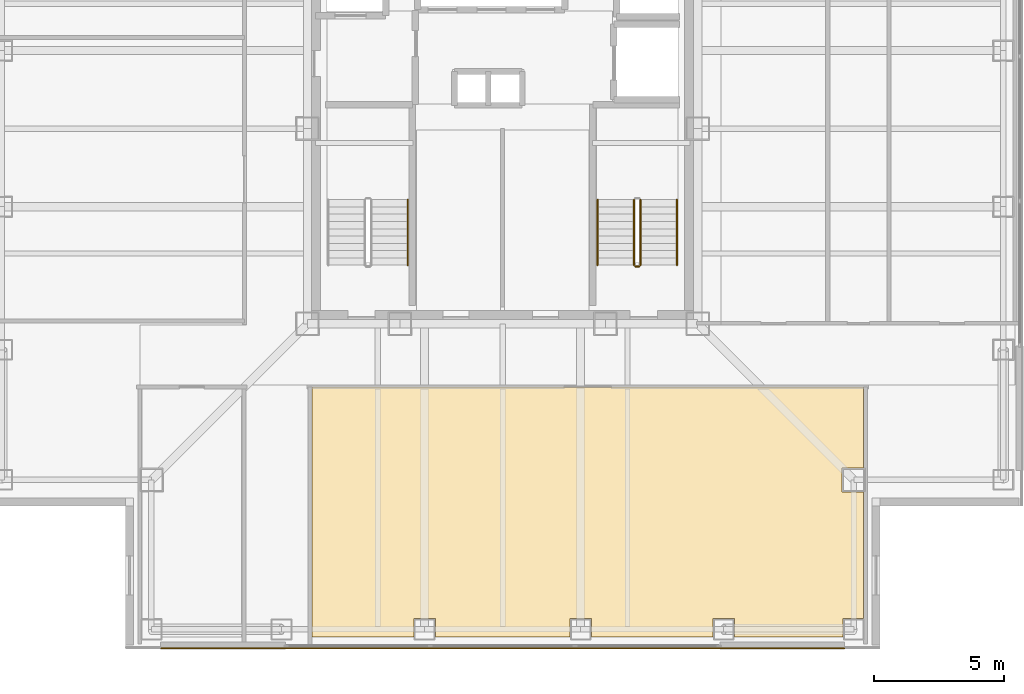
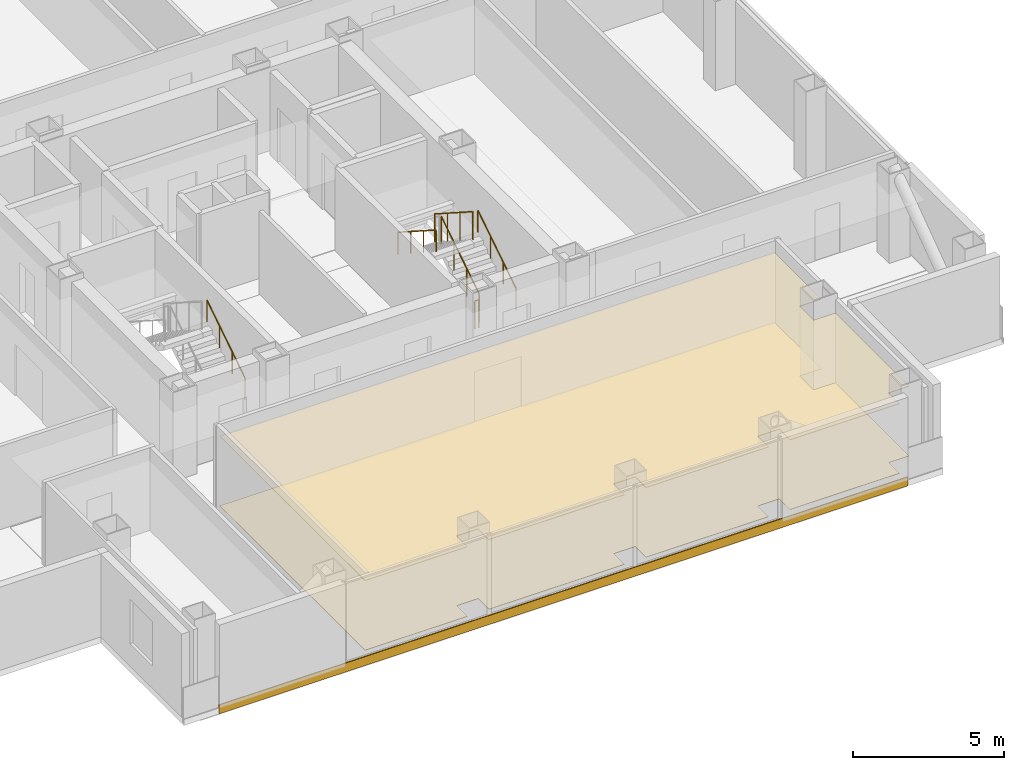
# One storey, part 12 of 16: 6 railings, 3 coverings.
"""IFC4 building model written with IfcOpenShell, lengths in metres."""

from ifc_helpers import new_model, si_unit, direction, frame, frame_2d, origin, origin_2d, place, context, subcontext, project, spatial, polyline, rectangle, circle, outline, extrude, material, layer, layer_set, type_object, element, save


model = new_model("IFC4")

# Units and contexts
model_context = context("Model", 3, precision=1e-05, world=origin(), true_north=direction((0.0, 1.0)))
body_context = subcontext(model_context, "Body", "Model", "MODEL_VIEW")
ifc_project = project(units=[si_unit("LENGTHUNIT", "METRE"), si_unit("AREAUNIT", "SQUARE_METRE"), si_unit("VOLUMEUNIT", "CUBIC_METRE"), si_unit("PLANEANGLEUNIT", "RADIAN"), si_unit("MASSUNIT", "GRAM", prefix="KILO")], contexts=[model_context])

# Site, building, storey
site_placement = place(None, origin())
site = spatial("IfcSite", under=ifc_project, at=site_placement, CompositionType="ELEMENT")
building_placement = place(site_placement, origin())
building = spatial("IfcBuilding", under=site, at=building_placement, Name="Trevonay Congress Spire", CompositionType="ELEMENT")
storey_placement = place(building_placement, frame((0.0, 0.0, 180.60009765625)))
storey = spatial("IfcBuildingStorey", under=building, at=storey_placement, Name="L46", CompositionType="ELEMENT", Elevation=180.60009765625)

# Coverings
ifc_material_1 = material(Name="Acoustic Mineral Fibre Board", Category="gypsum")
ifc_layer_1 = layer(ifc_material_1, 0.02490234375, Name="Acoustic Mineral Fibre Board")
ifc_layer_set_1 = layer_set([ifc_layer_1], Name="Acoustic Mineral Fibre Board")
covering_type_1 = type_object("IfcCoveringType", Name="COV-CEIL-ACOUSTIC", PredefinedType="CEILING", material=ifc_layer_set_1)
covering_1_placement = place(storey_placement, frame((0.0, 0.0, 2.809814453125)))
element("IfcCovering", 1, at=covering_1_placement, inside=storey, type_object=covering_type_1, Name="L46 Grand International Arbitration Hearing Hall acoustic suspended ceiling", PredefinedType="CEILING", context=body_context, shape_type="SweptSolid", body=[
    extrude(outline(polyline([(-7.320068359375, -19.550048828125), (-7.320068359375, -9.929931640625), (13.8701171875, -9.929931640625), (13.8701171875, -13.0400390625), (13.0400390625, -13.0400390625), (13.0400390625, -13.9599609375), (13.8701171875, -13.9599609375), (13.8701171875, -18.840087890625), (13.090087890625, -18.840087890625), (13.090087890625, -19.550048828125), (8.909912109375, -19.550048828125), (8.909912109375, -18.840087890625), (8.090087890625, -18.840087890625), (8.090087890625, -19.550048828125), (3.409912109375, -19.550048828125), (3.409912109375, -18.840087890625), (2.590087890625, -18.840087890625), (2.590087890625, -19.550048828125), (-2.590087890625, -19.550048828125), (-2.590087890625, -18.840087890625), (-3.409912109375, -18.840087890625), (-3.409912109375, -19.550048828125), (-7.320068359375, -19.550048828125)])), origin(), (0.0, 0.0, 1.0), 0.025146484375),
])
ifc_material_2 = material(Name="Engineered Oak Flooring", Category="wood")
ifc_layer_2 = layer(ifc_material_2, 0.01806640625, Name="Engineered Oak Flooring")
ifc_layer_set_2 = layer_set([ifc_layer_2], Name="Engineered Oak Flooring")
covering_type_2 = type_object("IfcCoveringType", Name="COV-FLOOR-TIMBER", PredefinedType="FLOORING", material=ifc_layer_set_2)
covering_2_placement = place(storey_placement, origin())
element("IfcCovering", 2, at=covering_2_placement, inside=storey, type_object=covering_type_2, Name="L46 Grand International Arbitration Hearing Hall floor finish", PredefinedType="FLOORING", context=body_context, shape_type="SweptSolid", body=[
    extrude(outline(polyline([(-7.320068359375, -19.550048828125), (-7.320068359375, -9.929931640625), (13.8701171875, -9.929931640625), (13.8701171875, -13.0400390625), (13.0400390625, -13.0400390625), (13.0400390625, -13.9599609375), (13.8701171875, -13.9599609375), (13.8701171875, -18.840087890625), (13.090087890625, -18.840087890625), (13.090087890625, -19.550048828125), (8.909912109375, -19.550048828125), (8.909912109375, -18.840087890625), (8.090087890625, -18.840087890625), (8.090087890625, -19.550048828125), (3.409912109375, -19.550048828125), (3.409912109375, -18.840087890625), (2.590087890625, -18.840087890625), (2.590087890625, -19.550048828125), (-2.590087890625, -19.550048828125), (-2.590087890625, -18.840087890625), (-3.409912109375, -18.840087890625), (-3.409912109375, -19.550048828125), (-7.320068359375, -19.550048828125)])), origin(), (0.0, 0.0, 1.0), 0.017822265625),
])
ifc_material_3 = material(Name="Pale Anodised Aluminium EN AW-6063-T6", Category="aluminium")
ifc_layer_3 = layer(ifc_material_3, 0.0400390625, Name="Pale Anodised Aluminium EN AW-6063-T6")
ifc_layer_set_3 = layer_set([ifc_layer_3], Name="Pale Anodised Aluminium EN AW-6063-T6")
covering_type_3 = type_object("IfcCoveringType", Name="COV-SPANDREL-PALE-METAL", PredefinedType="CLADDING", material=ifc_layer_set_3)
covering_3_placement = place(storey_placement, frame((-13.14990234375, -19.97998046875, -0.239990234375), z_axis=(0.0, 0.0, 1.0), x_axis=(1.0, 0.0, 0.0)))
element("IfcCovering", 3, at=covering_3_placement, inside=storey, type_object=covering_type_3, Name="L46 S pale-metal slab-edge spandrel cladding", PredefinedType="CLADDING", context=body_context, shape_type="SweptSolid", body=[
    extrude(rectangle(XDim=26.2998046875, YDim=0.0400390625, at=frame_2d((13.14990234375, 0.0))), origin(), (0.0, 0.0, 1.0), 0.35986328125),
])

# Railings
railing_type_1 = type_object("IfcRailingType", Name="RAL-STAIR-GUARD-110", PredefinedType="GUARDRAIL", material=ifc_material_3)
railing_1_placement = place(storey_placement, frame((5.300048828125, -5.25, 0.179931640625)))
element("IfcRailing", 4, at=railing_1_placement, inside=storey, type_object=railing_type_1, Name="L46 ST-2 stair guard 1", PredefinedType="GUARDRAIL", context=body_context, shape_type="SweptSolid", body=[
    extrude(circle(Radius=0.02392578125, at=origin_2d()), frame((0.0, 0.0, 1.1259765625), z_axis=(0.0, 0.841199657755, 0.540724639528), x_axis=(-1.0, 0.0, 0.0)), (0.0, 0.0, 1.0), 2.995849609375),
    extrude(circle(Radius=0.02099609375, at=origin_2d()), origin(), (0.0, 0.0, 1.0), 1.101806640625),
    extrude(circle(Radius=0.02099609375, at=origin_2d()), frame((0.0, 0.840087890625, 0.5400390625)), (0.0, 0.0, 1.0), 1.101806640625),
    extrude(circle(Radius=0.02099609375, at=origin_2d()), frame((0.0, 1.679931640625, 1.079833984375)), (0.0, 0.0, 1.0), 1.101806640625),
    extrude(circle(Radius=0.02099609375, at=origin_2d()), frame((0.0, 2.52001953125, 1.619873046875)), (0.0, 0.0, 1.0), 1.101806640625),
])
railing_2_placement = place(storey_placement, frame((5.050048828125, -2.72998046875, 1.97998046875)))
element("IfcRailing", 5, at=railing_2_placement, inside=storey, type_object=railing_type_1, Name="L46 ST-2 stair guard 3", PredefinedType="GUARDRAIL", context=body_context, shape_type="SweptSolid", body=[
    extrude(circle(Radius=0.02392578125, at=origin_2d()), frame((0.0, 0.0, 1.1259765625), z_axis=(0.0, -0.841199657755, 0.540724639528), x_axis=(1.0, 0.0, 0.0)), (0.0, 0.0, 1.0), 2.995849609375),
    extrude(circle(Radius=0.02099609375, at=origin_2d()), origin(), (0.0, 0.0, 1.0), 1.101806640625),
    extrude(circle(Radius=0.02099609375, at=origin_2d()), frame((0.0, -0.840087890625, 0.5400390625)), (0.0, 0.0, 1.0), 1.101806640625),
    extrude(circle(Radius=0.02099609375, at=origin_2d()), frame((0.0, -1.679931640625, 1.079833984375)), (0.0, 0.0, 1.0), 1.101806640625),
    extrude(circle(Radius=0.02099609375, at=origin_2d()), frame((0.0, -2.52001953125, 1.619873046875)), (0.0, 0.0, 1.0), 1.101806640625),
])
railing_3_placement = place(storey_placement, frame((5.25, -5.300048828125, 0.0)))
element("IfcRailing", 6, at=railing_3_placement, inside=storey, type_object=railing_type_1, Name="L46 ST-2 stair guard 4", PredefinedType="GUARDRAIL", context=body_context, shape_type="SweptSolid", body=[
    extrude(circle(Radius=0.02392578125, at=origin_2d()), frame((0.0, 0.0, 1.1259765625), z_axis=(-1.0, 0.0, 0.0), x_axis=(0.0, -1.0, 0.0)), (0.0, 0.0, 1.0), 0.14990234375),
    extrude(circle(Radius=0.02099609375, at=origin_2d()), origin(), (0.0, 0.0, 1.0), 1.101806640625),
    extrude(circle(Radius=0.02099609375, at=origin_2d()), frame((-0.14990234375, 0.0, 0.0)), (0.0, 0.0, 1.0), 1.101806640625),
])
railing_type_2 = type_object("IfcRailingType", Name="RAL-STAIR-HANDRAIL", PredefinedType="HANDRAIL", material=ifc_material_3)
for number, where, name in (
    (7, (-3.64990234375, -5.25, 0.179931640625), "L46 ST-1 stair handrail 1"),
    (8, (6.699951171875, -5.25, 0.179931640625), "L46 ST-2 stair handrail 1"),
):
    element("IfcRailing", number, at=place(storey_placement, frame(where)), inside=storey, type_object=railing_type_2, Name=name, PredefinedType="HANDRAIL", context=body_context, shape_type="SweptSolid", body=[
        extrude(circle(Radius=0.02392578125, at=origin_2d()), frame((0.0, 0.0, 0.8759765625), z_axis=(0.0, 0.841199657755, 0.540724639528), x_axis=(-1.0, 0.0, 0.0)), (0.0, 0.0, 1.0), 2.995849609375),
        extrude(circle(Radius=0.02099609375, at=origin_2d()), origin(), (0.0, 0.0, 1.0), 0.851806640625),
        extrude(circle(Radius=0.02099609375, at=origin_2d()), frame((0.0, 0.840087890625, 0.5400390625)), (0.0, 0.0, 1.0), 0.851806640625),
        extrude(circle(Radius=0.02099609375, at=origin_2d()), frame((0.0, 1.679931640625, 1.079833984375)), (0.0, 0.0, 1.0), 0.851806640625),
        extrude(circle(Radius=0.02099609375, at=origin_2d()), frame((0.0, 2.52001953125, 1.619873046875)), (0.0, 0.0, 1.0), 0.851806640625),
    ])
railing_4_placement = place(storey_placement, frame((3.64990234375, -2.72998046875, 1.97998046875)))
element("IfcRailing", 9, at=railing_4_placement, inside=storey, type_object=railing_type_2, Name="L46 ST-2 stair handrail 2", PredefinedType="HANDRAIL", context=body_context, shape_type="SweptSolid", body=[
    extrude(circle(Radius=0.02392578125, at=origin_2d()), frame((0.0, 0.0, 0.8759765625), z_axis=(0.0, -0.841199657755, 0.540724639528), x_axis=(1.0, 0.0, 0.0)), (0.0, 0.0, 1.0), 2.995849609375),
    extrude(circle(Radius=0.02099609375, at=origin_2d()), origin(), (0.0, 0.0, 1.0), 0.851806640625),
    extrude(circle(Radius=0.02099609375, at=origin_2d()), frame((0.0, -0.840087890625, 0.5400390625)), (0.0, 0.0, 1.0), 0.851806640625),
    extrude(circle(Radius=0.02099609375, at=origin_2d()), frame((0.0, -1.679931640625, 1.079833984375)), (0.0, 0.0, 1.0), 0.851806640625),
    extrude(circle(Radius=0.02099609375, at=origin_2d()), frame((0.0, -2.52001953125, 1.619873046875)), (0.0, 0.0, 1.0), 0.851806640625),
])

save(model, "model.ifc")
